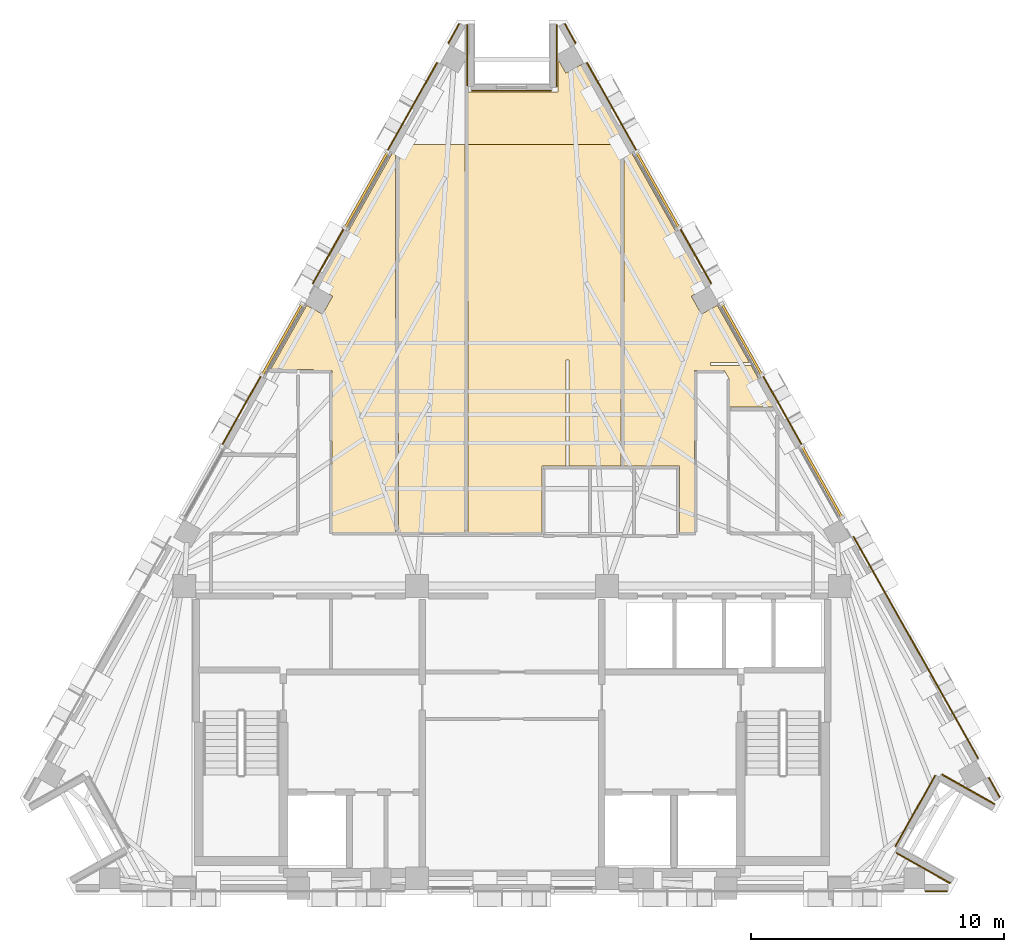
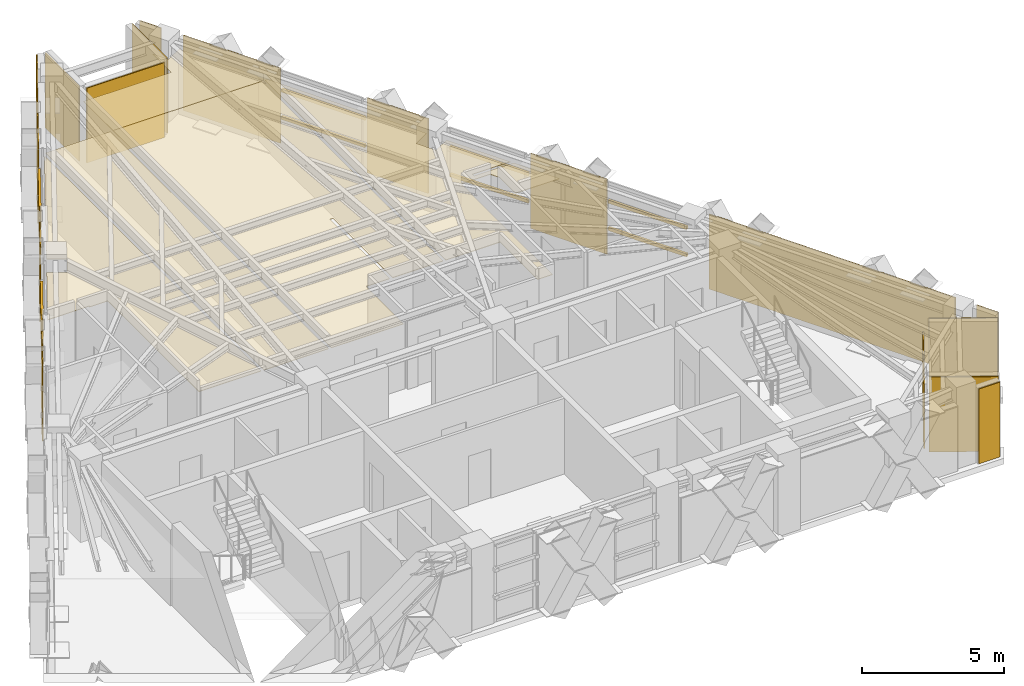
# One storey, part 10 of 10: 22 coverings, 10 shading devices.
"""IFC4 building model written with IfcOpenShell, lengths in metres."""

from ifc_helpers import new_model, si_unit, direction, frame, origin, origin_2d, place, context, subcontext, project, spatial, polyline, rectangle, outline, extrude, material, layer, layer_set, material_profile, profile_set, type_object, element, save


model = new_model("IFC4")

# Units and contexts
model_context = context("Model", 3, precision=1e-05, world=origin(), true_north=direction((0.0, 1.0)))
body_context = subcontext(model_context, "Body", "Model", "MODEL_VIEW")
ifc_project = project(units=[si_unit("LENGTHUNIT", "METRE"), si_unit("AREAUNIT", "SQUARE_METRE"), si_unit("VOLUMEUNIT", "CUBIC_METRE"), si_unit("PLANEANGLEUNIT", "RADIAN"), si_unit("MASSUNIT", "GRAM", prefix="KILO")], contexts=[model_context])

# Site, building, storey
site_placement = place(None, origin())
site = spatial("IfcSite", under=ifc_project, at=site_placement, CompositionType="ELEMENT")
building_placement = place(site_placement, origin())
building = spatial("IfcBuilding", under=site, at=building_placement, Name="Quenlor Broadcast Tower", CompositionType="ELEMENT")
storey_placement = place(building_placement, frame((0.0, 0.0, 232.39990234375)))
storey = spatial("IfcBuildingStorey", under=building, at=storey_placement, Name="L64", CompositionType="ELEMENT", Elevation=232.39990234375)

# Coverings
ifc_material_1 = material(Name="Acoustic Mineral Fibre Board", Category="other")
ifc_layer_1 = layer(ifc_material_1, 0.02490234375)
ifc_layer_set_1 = layer_set([ifc_layer_1], Name="Acoustic Perforated Mineral Tile Ceiling 25")
covering_type_1 = type_object("IfcCoveringType", Name="Acoustic Perforated Mineral Tile Ceiling 25", PredefinedType="CEILING", material=ifc_layer_set_1)
covering_1_placement = place(storey_placement, frame((0.0, 0.0, 2.714599609375)))
element("IfcCovering", 1, at=covering_1_placement, inside=storey, type_object=covering_type_1, Name="L64 Acoustic Ceiling L64-23", PredefinedType="CEILING", context=body_context, shape_type="SweptSolid", body=[
    extrude(outline(polyline([(4.300048828125, -0.06005859375), (2.260009765625, -0.06005859375), (2.260009765625, 4.1298828125), (2.139892578125, 4.1298828125), (2.139892578125, -0.06005859375), (1.179931640625, -0.06005859375), (1.179931640625, -2.699951171875), (-1.74462890625, -2.699951171875), (-1.74462890625, 12.64990234375), (4.300048828125, 12.64990234375), (4.300048828125, -0.06005859375)])), origin(), (0.0, 0.0, 1.0), 0.025146484375),
])
covering_2_placement = place(storey_placement, frame((0.0, 0.0, 2.714599609375)))
element("IfcCovering", 2, at=covering_2_placement, inside=storey, type_object=covering_type_1, Name="L64 Acoustic Ceiling L64-23-2", PredefinedType="CEILING", context=body_context, shape_type="SweptSolid", body=[
    extrude(outline(polyline([(2.7548828125, 15.808837890625), (4.300048828125, 13.06201171875), (4.300048828125, 12.64990234375), (-1.74462890625, 12.64990234375), (-1.74462890625, 14.719970703125), (1.808837890625, 14.719970703125), (1.808837890625, 16.0263671875), (2.129150390625, 15.456787109375), (2.7548828125, 15.808837890625)])), origin(), (0.0, 0.0, 1.0), 0.025146484375),
])
covering_3_placement = place(storey_placement, frame((0.0, 0.0, 2.714599609375)))
element("IfcCovering", 3, at=covering_3_placement, inside=storey, type_object=covering_type_1, Name="L64 Acoustic Ceiling L64-24", PredefinedType="CEILING", context=body_context, shape_type="SweptSolid", body=[
    extrude(outline(polyline([(-4.47998046875, 12.64990234375), (-1.86474609375, 12.64990234375), (-1.86474609375, -2.699951171875), (-4.47998046875, -2.699951171875), (-4.47998046875, 12.64990234375)])), origin(), (0.0, 0.0, 1.0), 0.025146484375),
])
covering_4_placement = place(storey_placement, frame((0.0, 0.0, 2.714599609375)))
element("IfcCovering", 4, at=covering_4_placement, inside=storey, type_object=covering_type_1, Name="L64 Acoustic Ceiling L64-25", PredefinedType="CEILING", context=body_context, shape_type="SweptSolid", body=[
    extrude(outline(polyline([(9.45361328125, 3.89990234375), (10.376220703125, 2.260009765625), (8.580078125, 2.260009765625), (8.580078125, 3.37255859375), (8.39013671875, 3.7099609375), (7.219970703125, 3.7099609375), (7.219970703125, -2.699951171875), (6.6201171875, -2.699951171875), (6.6201171875, -0.06005859375), (4.419921875, -0.06005859375), (4.419921875, 12.64990234375), (4.53173828125, 12.64990234375), (7.711669921875, 6.996826171875), (7.0859375, 6.64501953125), (7.48583984375, 5.93359375), (8.11181640625, 6.28564453125), (9.38623046875, 4.02001953125), (7.85009765625, 4.02001953125), (7.85009765625, 3.89990234375), (9.45361328125, 3.89990234375)])), origin(), (0.0, 0.0, 1.0), 0.025146484375),
])
covering_5_placement = place(storey_placement, frame((0.0, 0.0, 2.714599609375)))
element("IfcCovering", 5, at=covering_5_placement, inside=storey, type_object=covering_type_1, Name="L64 Acoustic Ceiling L64-26", PredefinedType="CEILING", context=body_context, shape_type="SweptSolid", body=[
    extrude(outline(polyline([(-7.1201171875, 3.7099609375), (-7.85009765625, 3.7099609375), (-7.85009765625, 3.760009765625), (-9.532470703125, 3.760009765625), (-8.11181640625, 6.28564453125), (-7.48583984375, 5.93359375), (-7.0859375, 6.64501953125), (-7.711669921875, 6.996826171875), (-4.60009765625, 12.52880859375), (-4.60009765625, -2.699951171875), (-7.1201171875, -2.699951171875), (-7.1201171875, 3.7099609375)])), origin(), (0.0, 0.0, 1.0), 0.025146484375),
])

# Shading devices
ifc_material_2 = material(Name="Architectural Terracotta Ceramic", Category="masonry")
ifc_material_profile = material_profile(ifc_material_2, rectangle(XDim=0.090087890625, YDim=0.139892578125, at=origin_2d()))
ifc_profile_set = profile_set([ifc_material_profile], Name="Architectural Terracotta Ceramic BAG90x140")
shading_device_type = type_object("IfcShadingDeviceType", Name="Copper Terracotta Baguette Solar Screen 140", PredefinedType="USERDEFINED", material=ifc_profile_set)
for number, where, z_axis, x_axis, name in (
    (6, (4.920654296875, 12.331787109375, 1.170166015625), (0.490251066516, -0.871581259425, 0.0), (0.871581259425, 0.490251066516, 0.0), "L64 Terracotta Baguette Screen 1"),
    (7, (4.920654296875, 12.331787109375, 2.340087890625), (0.490251066516, -0.871581259425, 0.0), (0.871581259425, 0.490251066516, 0.0), "L64 Terracotta Baguette Screen 2"),
):
    element("IfcShadingDevice", number, at=place(storey_placement, frame(where, z_axis=z_axis, x_axis=x_axis)), inside=storey, type_object=shading_device_type, Name=name, ObjectType="BAGUETTE", PredefinedType="USERDEFINED", context=body_context, shape_type="SweptSolid", body=[
        extrude(rectangle(XDim=0.090087890625, YDim=0.139892578125, at=origin_2d()), origin(), (0.0, 0.0, 1.0), 3.418212890625),
    ])
for number, where, z_axis, x_axis, name in (
    (8, (8.29296875, 6.336669921875, 1.170166015625), (0.490261239633, -0.871575537125, 0.0), (0.871575537125, 0.490261239633, 0.0), "L64 Terracotta Baguette Screen 1"),
    (9, (8.29296875, 6.336669921875, 2.340087890625), (0.490261239633, -0.871575537125, 0.0), (0.871575537125, 0.490261239633, 0.0), "L64 Terracotta Baguette Screen 2"),
    (10, (11.460205078125, 0.706298828125, 1.170166015625), (0.490203442487, -0.871608045496, 0.0), (0.871608045496, 0.490203442487, 0.0), "L64 Terracotta Baguette Screen 1"),
    (11, (11.460205078125, 0.706298828125, 2.340087890625), (0.490203442487, -0.871608045496, 0.0), (0.871608045496, 0.490203442487, 0.0), "L64 Terracotta Baguette Screen 2"),
):
    element("IfcShadingDevice", number, at=place(storey_placement, frame(where, z_axis=z_axis, x_axis=x_axis)), inside=storey, type_object=shading_device_type, Name=name, ObjectType="BAGUETTE", PredefinedType="USERDEFINED", context=body_context, shape_type="SweptSolid", body=[
        extrude(rectangle(XDim=0.090087890625, YDim=0.139892578125, at=origin_2d()), origin(), (0.0, 0.0, 1.0), 3.208984375),
    ])
for number, where, z_axis, x_axis, name in (
    (12, (-6.596435546875, 9.3525390625, 1.170166015625), (0.490251066516, 0.871581259425, 0.0), (-0.871581259425, 0.490251066516, 0.0), "L64 Terracotta Baguette Screen 1"),
    (13, (-6.596435546875, 9.3525390625, 2.340087890625), (0.490251066516, 0.871581259425, 0.0), (-0.871581259425, 0.490251066516, 0.0), "L64 Terracotta Baguette Screen 2"),
):
    element("IfcShadingDevice", number, at=place(storey_placement, frame(where, z_axis=z_axis, x_axis=x_axis)), inside=storey, type_object=shading_device_type, Name=name, ObjectType="BAGUETTE", PredefinedType="USERDEFINED", context=body_context, shape_type="SweptSolid", body=[
        extrude(rectangle(XDim=0.090087890625, YDim=0.139892578125, at=origin_2d()), origin(), (0.0, 0.0, 1.0), 3.418212890625),
    ])
for number, where, z_axis, x_axis, name in (
    (14, (-9.8662109375, 3.539794921875, 1.170166015625), (0.490261239633, 0.871575537125, 0.0), (-0.871575537125, 0.490261239633, 0.0), "L64 Terracotta Baguette Screen 1"),
    (15, (-9.8662109375, 3.539794921875, 2.340087890625), (0.490261239633, 0.871575537125, 0.0), (-0.871575537125, 0.490261239633, 0.0), "L64 Terracotta Baguette Screen 2"),
):
    element("IfcShadingDevice", number, at=place(storey_placement, frame(where, z_axis=z_axis, x_axis=x_axis)), inside=storey, type_object=shading_device_type, Name=name, ObjectType="BAGUETTE", PredefinedType="USERDEFINED", context=body_context, shape_type="SweptSolid", body=[
        extrude(rectangle(XDim=0.090087890625, YDim=0.139892578125, at=origin_2d()), origin(), (0.0, 0.0, 1.0), 3.208984375),
    ])

# Coverings
ifc_material_3 = material(Name="Architectural Terracotta Ceramic", Category="masonry")
ifc_layer_2 = layer(ifc_material_3, 0.044921875)
ifc_layer_set_2 = layer_set([ifc_layer_2], Name="Fluted Terracotta Rainscreen Cladding Panel")
covering_type_2 = type_object("IfcCoveringType", Name="Fluted Terracotta Rainscreen Cladding Panel", PredefinedType="CLADDING", material=ifc_layer_set_2)
covering_6_placement = place(storey_placement, frame((0.0, 0.0, 0.02001953125)))
element("IfcCovering", 16, at=covering_6_placement, inside=storey, type_object=covering_type_2, Name="L64 Terracotta Rainscreen Cladding L64-SHD-SS0", PredefinedType="CLADDING", context=body_context, shape_type="SweptSolid", body=[
    extrude(outline(polyline([(17.18994140625, -16.8369140625), (16.33251953125, -16.8369140625), (16.33251953125, -16.882080078125), (17.18994140625, -16.882080078125), (17.18994140625, -16.8369140625)])), origin(), (0.0, 0.0, 1.0), 3.2099609375),
])
covering_7_placement = place(storey_placement, frame((0.0, 0.0, 0.02001953125)))
element("IfcCovering", 17, at=covering_7_placement, inside=storey, type_object=covering_type_2, Name="L64 Terracotta Rainscreen Cladding L64-SHD-NES0", PredefinedType="CLADDING", context=body_context, shape_type="SweptSolid", body=[
    extrude(outline(polyline([(2.06201171875, 17.401611328125), (2.495849609375, 16.630615234375), (2.534912109375, 16.652587890625), (2.101318359375, 17.423583984375), (2.06201171875, 17.401611328125)])), origin(), (0.0, 0.0, 1.0), 3.2099609375),
])
covering_8_placement = place(storey_placement, frame((0.0, 0.0, 0.02001953125)))
element("IfcCovering", 18, at=covering_8_placement, inside=storey, type_object=covering_type_2, Name="L64 Terracotta Rainscreen Cladding L64-SHD-NES1", PredefinedType="CLADDING", context=body_context, shape_type="SweptSolid", body=[
    extrude(outline(polyline([(18.820068359375, -12.39013671875), (19.25390625, -13.161376953125), (19.29296875, -13.139404296875), (18.859130859375, -12.3681640625), (18.820068359375, -12.39013671875)])), origin(), (0.0, 0.0, 1.0), 3.2099609375),
])
covering_9_placement = place(storey_placement, frame((0.0, 0.0, 0.02001953125)))
element("IfcCovering", 19, at=covering_9_placement, inside=storey, type_object=covering_type_2, Name="L64 Terracotta Rainscreen Cladding L64-NEA-SP1", PredefinedType="CLADDING", context=body_context, shape_type="SweptSolid", body=[
    extrude(outline(polyline([(2.94091796875, 15.859619140625), (4.8935546875, 12.388427734375), (4.9326171875, 12.410400390625), (2.980224609375, 15.881591796875), (2.94091796875, 15.859619140625)])), origin(), (0.0, 0.0, 1.0), 3.2099609375),
])
covering_10_placement = place(storey_placement, frame((0.0, 0.0, 0.02001953125)))
element("IfcCovering", 20, at=covering_10_placement, inside=storey, type_object=covering_type_2, Name="L64 Terracotta Rainscreen Cladding L64-NEA-SP2", PredefinedType="CLADDING", context=body_context, shape_type="SweptSolid", body=[
    extrude(outline(polyline([(6.630615234375, 9.300048828125), (7.8515625, 7.129638671875), (7.890625, 7.151611328125), (6.669921875, 9.322021484375), (6.630615234375, 9.300048828125)])), origin(), (0.0, 0.0, 1.0), 3.2099609375),
])
covering_11_placement = place(storey_placement, frame((0.0, 0.0, 0.02001953125)))
element("IfcCovering", 21, at=covering_11_placement, inside=storey, type_object=covering_type_2, Name="L64 Terracotta Rainscreen Cladding L64-EW-NEC", PredefinedType="CLADDING", context=body_context, shape_type="SweptSolid", body=[
    extrude(outline(polyline([(13.471923828125, -2.862060546875), (18.402099609375, -11.626953125), (18.44140625, -11.60498046875), (13.51123046875, -2.840087890625), (13.471923828125, -2.862060546875)])), origin(), (0.0, 0.0, 1.0), 3.2099609375),
])
covering_12_placement = place(storey_placement, frame((0.0, 0.0, 0.02001953125)))
element("IfcCovering", 22, at=covering_12_placement, inside=storey, type_object=covering_type_2, Name="L64 Terracotta Rainscreen Cladding L64-NE-SP1", PredefinedType="CLADDING", context=body_context, shape_type="SweptSolid", body=[
    extrude(outline(polyline([(9.900390625, 3.4873046875), (11.432861328125, 0.7626953125), (11.47216796875, 0.784912109375), (9.939697265625, 3.50927734375), (9.900390625, 3.4873046875)])), origin(), (0.0, 0.0, 1.0), 3.2099609375),
])
covering_13_placement = place(storey_placement, frame((0.0, 0.0, 0.02001953125)))
element("IfcCovering", 23, at=covering_13_placement, inside=storey, type_object=covering_type_2, Name="L64 Terracotta Rainscreen Cladding L64-SHD-NWS1", PredefinedType="CLADDING", context=body_context, shape_type="SweptSolid", body=[
    extrude(outline(polyline([(-2.495849609375, 16.630615234375), (-2.06201171875, 17.401611328125), (-2.101318359375, 17.423583984375), (-2.534912109375, 16.652587890625), (-2.495849609375, 16.630615234375)])), origin(), (0.0, 0.0, 1.0), 3.2099609375),
])
covering_14_placement = place(storey_placement, frame((0.0, 0.0, 0.02001953125)))
element("IfcCovering", 24, at=covering_14_placement, inside=storey, type_object=covering_type_2, Name="L64 Terracotta Rainscreen Cladding L64-NWC-SP1", PredefinedType="CLADDING", context=body_context, shape_type="SweptSolid", body=[
    extrude(outline(polyline([(-7.8515625, 7.129638671875), (-6.630615234375, 9.300048828125), (-6.669921875, 9.322021484375), (-7.890625, 7.151611328125), (-7.8515625, 7.129638671875)])), origin(), (0.0, 0.0, 1.0), 3.2099609375),
])
covering_15_placement = place(storey_placement, frame((0.0, 0.0, 0.02001953125)))
element("IfcCovering", 25, at=covering_15_placement, inside=storey, type_object=covering_type_2, Name="L64 Terracotta Rainscreen Cladding L64-NWC-SP2", PredefinedType="CLADDING", context=body_context, shape_type="SweptSolid", body=[
    extrude(outline(polyline([(-4.8935546875, 12.388427734375), (-2.94091796875, 15.859619140625), (-2.980224609375, 15.881591796875), (-4.9326171875, 12.410400390625), (-4.8935546875, 12.388427734375)])), origin(), (0.0, 0.0, 1.0), 3.2099609375),
])
covering_16_placement = place(storey_placement, frame((0.0, 0.0, 0.02001953125)))
element("IfcCovering", 26, at=covering_16_placement, inside=storey, type_object=covering_type_2, Name="L64 Terracotta Rainscreen Cladding L64-NW-SP1", PredefinedType="CLADDING", context=body_context, shape_type="SweptSolid", body=[
    extrude(outline(polyline([(-11.432861328125, 0.7626953125), (-9.900390625, 3.4873046875), (-9.939697265625, 3.50927734375), (-11.47216796875, 0.784912109375), (-11.432861328125, 0.7626953125)])), origin(), (0.0, 0.0, 1.0), 3.2099609375),
])
covering_17_placement = place(storey_placement, frame((0.0, 0.0, 0.02001953125)))
element("IfcCovering", 27, at=covering_17_placement, inside=storey, type_object=covering_type_2, Name="L64 Terracotta Rainscreen Cladding L64-CNR-01", PredefinedType="CLADDING", context=body_context, shape_type="SweptSolid", body=[
    extrude(outline(polyline([(17.32666015625, -16.529541015625), (15.199951171875, -15.333251953125), (15.177978515625, -15.372314453125), (17.3046875, -16.568603515625), (17.32666015625, -16.529541015625)])), origin(), (0.0, 0.0, 1.0), 3.2099609375),
])
covering_18_placement = place(storey_placement, frame((0.0, 0.0, 0.02001953125)))
element("IfcCovering", 28, at=covering_18_placement, inside=storey, type_object=covering_type_2, Name="L64 Terracotta Rainscreen Cladding L64-CNR-02", PredefinedType="CLADDING", context=body_context, shape_type="SweptSolid", body=[
    extrude(outline(polyline([(15.16552734375, -15.10498046875), (16.7421875, -12.302001953125), (16.702880859375, -12.280029296875), (15.126220703125, -15.0830078125), (15.16552734375, -15.10498046875)])), origin(), (0.0, 0.0, 1.0), 2.749755859375),
])
covering_19_placement = place(storey_placement, frame((0.0, 0.0, 0.02001953125)))
element("IfcCovering", 29, at=covering_19_placement, inside=storey, type_object=covering_type_2, Name="L64 Terracotta Rainscreen Cladding L64-CNR-03", PredefinedType="CLADDING", context=body_context, shape_type="SweptSolid", body=[
    extrude(outline(polyline([(16.970458984375, -12.267578125), (19.062255859375, -13.444091796875), (19.084228515625, -13.405029296875), (16.992431640625, -12.228271484375), (16.970458984375, -12.267578125)])), origin(), (0.0, 0.0, 1.0), 3.2099609375),
])
covering_20_placement = place(storey_placement, frame((0.0, 0.0, 0.02001953125)))
element("IfcCovering", 30, at=covering_20_placement, inside=storey, type_object=covering_type_2, Name="L64 Terracotta Rainscreen Cladding L64-CNR-07", PredefinedType="CLADDING", context=body_context, shape_type="SweptSolid", body=[
    extrude(outline(polyline([(1.74072265625, 17.3701171875), (1.74072265625, 14.929931640625), (1.785888671875, 14.929931640625), (1.785888671875, 17.3701171875), (1.74072265625, 17.3701171875)])), origin(), (0.0, 0.0, 1.0), 3.2099609375),
])
covering_21_placement = place(storey_placement, frame((0.0, 0.0, 0.02001953125)))
element("IfcCovering", 31, at=covering_21_placement, inside=storey, type_object=covering_type_2, Name="L64 Terracotta Rainscreen Cladding L64-CNR-08", PredefinedType="CLADDING", context=body_context, shape_type="SweptSolid", body=[
    extrude(outline(polyline([(1.558837890625, 14.7880859375), (-1.598876953125, 14.7880859375), (-1.598876953125, 14.742919921875), (1.558837890625, 14.742919921875), (1.558837890625, 14.7880859375)])), origin(), (0.0, 0.0, 1.0), 3.2099609375),
])
covering_22_placement = place(storey_placement, frame((0.0, 0.0, 0.02001953125)))
element("IfcCovering", 32, at=covering_22_placement, inside=storey, type_object=covering_type_2, Name="L64 Terracotta Rainscreen Cladding L64-CNR-09", PredefinedType="CLADDING", context=body_context, shape_type="SweptSolid", body=[
    extrude(outline(polyline([(-1.74072265625, 14.969970703125), (-1.74072265625, 17.3701171875), (-1.785888671875, 17.3701171875), (-1.785888671875, 14.969970703125), (-1.74072265625, 14.969970703125)])), origin(), (0.0, 0.0, 1.0), 3.2099609375),
])

save(model, "model.ifc")
